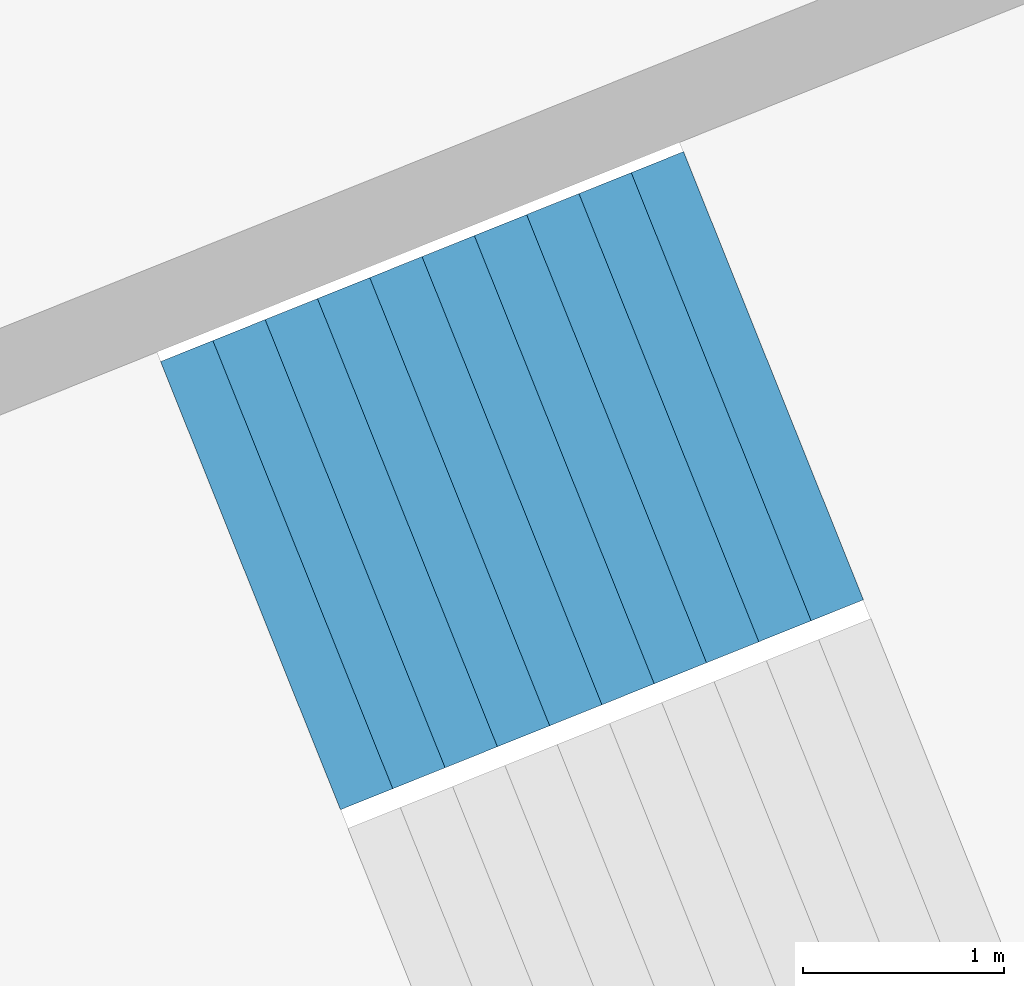
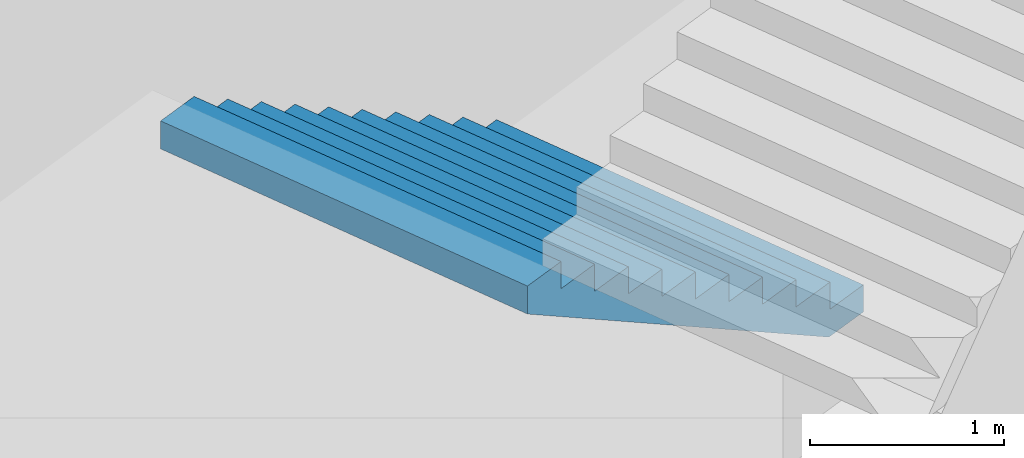
# One storey, part 21 of 73: 1 stair flight, 1 element without a shape of its own.
"""IFC4 building model written with IfcOpenShell, lengths in metres."""

from ifc_helpers import new_model, si_unit, direction, frame, origin, place, context, subcontext, project, spatial, triangles, material, type_object, element, aggregate, save


model = new_model("IFC4")

# Units and contexts
model_context = context("Model", 3, precision=1e-05, world=origin(), true_north=direction((0.0, 1.0)))
body_context = subcontext(model_context, "Body", "Model", "MODEL_VIEW")
ifc_project = project(units=[si_unit("LENGTHUNIT", "METRE"), si_unit("AREAUNIT", "SQUARE_METRE"), si_unit("VOLUMEUNIT", "CUBIC_METRE"), si_unit("PLANEANGLEUNIT", "RADIAN"), si_unit("MASSUNIT", "GRAM", prefix="KILO")], contexts=[model_context])

# Site, building, storey
site_placement = place(None, origin())
site = spatial("IfcSite", under=ifc_project, at=site_placement, CompositionType="ELEMENT")
building_placement = place(site_placement, origin())
building = spatial("IfcBuilding", under=site, at=building_placement, Name="Lantaw Convention Tower", CompositionType="ELEMENT")
storey_placement = place(building_placement, frame((0.0, 0.0, 14.5)))
storey = spatial("IfcBuildingStorey", under=building, at=storey_placement, Name="L02", CompositionType="ELEMENT", Elevation=14.5)

# Stair, stair flight
ifc_material = material(Name="Concrete C35/45", Category="concrete")
stair_type = type_object("IfcStairType", Name="Exit stair 2400 riser 170.45 in 4 flights", PredefinedType="HALF_TURN_STAIR", material=ifc_material)
stair_placement = place(storey_placement, origin())
stair = element("IfcStair", 1, at=stair_placement, inside=storey, type_object=stair_type, Name="Podium exit stair P11 L02", PredefinedType="HALF_TURN_STAIR")
stair_flight_type = type_object("IfcStairFlightType", Name="Stair flight 2400 riser 170.45", PredefinedType="STRAIGHT", material=ifc_material)
stair_flight_placement = place(storey_placement, frame((-30.017578125, -10.703369140625, 3.75), z_axis=(0.0, 0.0, 1.0), x_axis=(-0.928015168305, -0.372542410198, 0.0)))
stair_flight = element("IfcStairFlight", 2, at=stair_flight_placement, type_object=stair_flight_type, Name="P11 flight 3", NumberOfRisers=11, NumberOfTreads=10, PredefinedType="STRAIGHT", RiserHeight=0.170454545, TreadLength=0.28, context=body_context, shape_type="Tessellation", body=[
    triangles([(0.0, 1.199951171875, 0.0), (0.0, 1.199951171875, 0.170454545), (0.28, 1.199951171875, 0.0), (0.28, 1.199951171875, 0.170454545), (0.28, 1.199951171875, 0.34090909), (0.28827876332691904, 1.199951171875, 0.0), (0.28827876332691904, 1.199951171875, 0.34090909), (0.56, 1.199951171875, 0.16541471344266906), (0.56, 1.199951171875, 0.34090909), (0.56, 1.199951171875, 0.511363635), (0.8400000000000001, 1.199951171875, 0.335869258442669), (0.8400000000000001, 1.199951171875, 0.511363635), (0.8400000000000001, 1.199951171875, 0.68181818), (1.12, 1.199951171875, 0.506323803442669), (1.12, 1.199951171875, 0.68181818), (1.12, 1.199951171875, 0.8522727250000001), (1.4000000000000001, 1.199951171875, 0.676778348442669), (1.4000000000000001, 1.199951171875, 0.8522727250000001), (1.4000000000000001, 1.199951171875, 1.02272727), (1.6800000000000002, 1.199951171875, 0.847232893442669), (1.6800000000000002, 1.199951171875, 1.02272727), (1.6800000000000002, 1.199951171875, 1.193181815), (1.9600000000000002, 1.199951171875, 1.017687438442669), (1.9600000000000002, 1.199951171875, 1.193181815), (1.9600000000000002, 1.199951171875, 1.36363636), (2.24, 1.199951171875, 1.188141983442669), (2.24, 1.199951171875, 1.36363636), (2.24, 1.199951171875, 1.5340909050000002), (2.5200000000000005, 1.199951171875, 1.358596528442669), (2.5200000000000005, 1.199951171875, 1.5340909050000002), (2.5200000000000005, 1.199951171875, 1.7045454500000001), (2.8000000000000003, 1.199951171875, 1.529051073442669), (2.8000000000000003, 1.199951171875, 1.7045454500000001), (0.0, -1.199951171875, 0.0), (0.0, -1.199951171875, 0.170454545), (0.28, -1.199951171875, 0.0), (0.28, -1.199951171875, 0.170454545), (0.28, -1.199951171875, 0.34090909), (0.28827876332691904, -1.199951171875, 0.0), (0.28827876332691904, -1.199951171875, 0.34090909), (0.56, -1.199951171875, 0.16541471344266906), (0.56, -1.199951171875, 0.34090909), (0.56, -1.199951171875, 0.511363635), (0.8400000000000001, -1.199951171875, 0.335869258442669), (0.8400000000000001, -1.199951171875, 0.511363635), (0.8400000000000001, -1.199951171875, 0.68181818), (1.12, -1.199951171875, 0.506323803442669), (1.12, -1.199951171875, 0.68181818), (1.12, -1.199951171875, 0.8522727250000001), (1.4000000000000001, -1.199951171875, 0.676778348442669), (1.4000000000000001, -1.199951171875, 0.8522727250000001), (1.4000000000000001, -1.199951171875, 1.02272727), (1.6800000000000002, -1.199951171875, 0.847232893442669), (1.6800000000000002, -1.199951171875, 1.02272727), (1.6800000000000002, -1.199951171875, 1.193181815), (1.9600000000000002, -1.199951171875, 1.017687438442669), (1.9600000000000002, -1.199951171875, 1.193181815), (1.9600000000000002, -1.199951171875, 1.36363636), (2.24, -1.199951171875, 1.188141983442669), (2.24, -1.199951171875, 1.36363636), (2.24, -1.199951171875, 1.5340909050000002), (2.5200000000000005, -1.199951171875, 1.358596528442669), (2.5200000000000005, -1.199951171875, 1.5340909050000002), (2.5200000000000005, -1.199951171875, 1.7045454500000001), (2.8000000000000003, -1.199951171875, 1.529051073442669), (2.8000000000000003, -1.199951171875, 1.7045454500000001), (0.0, 0.239990234375, 0.170454545), (0.0, 0.239990234375, 0.0), (0.0, 0.1199951171875, 0.170454545), (0.0, 0.1199951171875, 0.0), (0.0, 0.0, 0.170454545), (0.0, 0.0, 0.0), (0.0, -0.1199951171875, 0.170454545), (0.0, -0.1199951171875, 0.0), (0.0, -0.239990234375, 0.170454545), (0.0, -0.239990234375, 0.0), (0.28, 0.239990234375, 0.34090909), (0.28, 0.239990234375, 0.170454545), (0.28, 0.1199951171875, 0.34090909), (0.28, 0.1199951171875, 0.170454545), (0.28, 0.0, 0.34090909), (0.28, 0.0, 0.170454545), (0.28, -0.1199951171875, 0.34090909), (0.28, -0.1199951171875, 0.170454545), (0.28, -0.239990234375, 0.34090909), (0.28, -0.239990234375, 0.170454545), (0.56, 0.239990234375, 0.511363635), (0.56, 0.239990234375, 0.34090909), (0.56, 0.1199951171875, 0.511363635), (0.56, 0.1199951171875, 0.34090909), (0.56, 0.0, 0.511363635), (0.56, 0.0, 0.34090909), (0.56, -0.1199951171875, 0.511363635), (0.56, -0.1199951171875, 0.34090909), (0.56, -0.239990234375, 0.511363635), (0.56, -0.239990234375, 0.34090909), (0.8400000000000001, 0.239990234375, 0.68181818), (0.8400000000000001, 0.239990234375, 0.511363635), (0.8400000000000001, 0.1199951171875, 0.68181818), (0.8400000000000001, 0.1199951171875, 0.511363635), (0.8400000000000001, 0.0, 0.68181818), (0.8400000000000001, 0.0, 0.511363635), (0.8400000000000001, -0.1199951171875, 0.68181818), (0.8400000000000001, -0.1199951171875, 0.511363635), (0.8400000000000001, -0.239990234375, 0.68181818), (0.8400000000000001, -0.239990234375, 0.511363635), (1.12, 0.239990234375, 0.8522727250000001), (1.12, 0.239990234375, 0.68181818), (1.12, 0.1199951171875, 0.8522727250000001), (1.12, 0.1199951171875, 0.68181818), (1.12, 0.0, 0.8522727250000001), (1.12, 0.0, 0.68181818), (1.12, -0.1199951171875, 0.8522727250000001), (1.12, -0.1199951171875, 0.68181818), (1.12, -0.239990234375, 0.8522727250000001), (1.12, -0.239990234375, 0.68181818), (1.4000000000000001, 0.239990234375, 1.02272727), (1.4000000000000001, 0.239990234375, 0.8522727250000001), (1.4000000000000001, 0.1199951171875, 1.02272727), (1.4000000000000001, 0.1199951171875, 0.8522727250000001), (1.4000000000000001, 0.0, 1.02272727), (1.4000000000000001, 0.0, 0.8522727250000001), (1.4000000000000001, -0.1199951171875, 1.02272727), (1.4000000000000001, -0.1199951171875, 0.8522727250000001), (1.4000000000000001, -0.239990234375, 1.02272727), (1.4000000000000001, -0.239990234375, 0.8522727250000001), (1.6800000000000002, 0.239990234375, 1.193181815), (1.6800000000000002, 0.239990234375, 1.02272727), (1.6800000000000002, 0.1199951171875, 1.193181815), (1.6800000000000002, 0.1199951171875, 1.02272727), (1.6800000000000002, 0.0, 1.193181815), (1.6800000000000002, 0.0, 1.02272727), (1.6800000000000002, -0.1199951171875, 1.193181815), (1.6800000000000002, -0.1199951171875, 1.02272727), (1.6800000000000002, -0.239990234375, 1.193181815), (1.6800000000000002, -0.239990234375, 1.02272727), (1.9600000000000002, 0.239990234375, 1.36363636), (1.9600000000000002, 0.239990234375, 1.193181815), (1.9600000000000002, 0.1199951171875, 1.36363636), (1.9600000000000002, 0.1199951171875, 1.193181815), (1.9600000000000002, 0.0, 1.36363636), (1.9600000000000002, 0.0, 1.193181815), (1.9600000000000002, -0.1199951171875, 1.36363636), (1.9600000000000002, -0.1199951171875, 1.193181815), (1.9600000000000002, -0.239990234375, 1.36363636), (1.9600000000000002, -0.239990234375, 1.193181815), (2.24, 0.239990234375, 1.5340909050000002), (2.24, 0.239990234375, 1.36363636), (2.24, 0.1199951171875, 1.5340909050000002), (2.24, 0.1199951171875, 1.36363636), (2.24, 0.0, 1.5340909050000002), (2.24, 0.0, 1.36363636), (2.24, -0.1199951171875, 1.5340909050000002), (2.24, -0.1199951171875, 1.36363636), (2.24, -0.239990234375, 1.5340909050000002), (2.24, -0.239990234375, 1.36363636), (2.5200000000000005, 0.239990234375, 1.7045454500000001), (2.5200000000000005, 0.239990234375, 1.5340909050000002), (2.5200000000000005, 0.1199951171875, 1.7045454500000001), (2.5200000000000005, 0.1199951171875, 1.5340909050000002), (2.5200000000000005, 0.0, 1.7045454500000001), (2.5200000000000005, 0.0, 1.5340909050000002), (2.5200000000000005, -0.1199951171875, 1.7045454500000001), (2.5200000000000005, -0.1199951171875, 1.5340909050000002), (2.5200000000000005, -0.239990234375, 1.7045454500000001), (2.5200000000000005, -0.239990234375, 1.5340909050000002), (0.28827876332691904, 0.239990234375, 0.34090909), (0.28827876332691904, 0.1199951171875, 0.34090909), (0.28827876332691904, 0.0, 0.34090909), (0.28827876332691904, -0.1199951171875, 0.34090909), (0.28827876332691904, -0.239990234375, 0.34090909), (2.8000000000000003, 0.239990234375, 1.7045454500000001), (2.8000000000000003, 0.1199951171875, 1.7045454500000001), (2.8000000000000003, 0.0, 1.7045454500000001), (2.8000000000000003, -0.1199951171875, 1.7045454500000001), (2.8000000000000003, -0.239990234375, 1.7045454500000001), (2.8000000000000003, 0.239990234375, 1.5290510734426692), (2.8000000000000003, 0.1199951171875, 1.5290510734426692), (2.8000000000000003, 0.0, 1.5290510734426692), (2.8000000000000003, -0.1199951171875, 1.5290510734426692), (2.8000000000000003, -0.239990234375, 1.5290510734426692), (2.5200000000000005, 0.239990234375, 1.358596528442669), (2.5200000000000005, 0.1199951171875, 1.358596528442669), (2.5200000000000005, 0.0, 1.358596528442669), (2.5200000000000005, -0.1199951171875, 1.358596528442669), (2.5200000000000005, -0.239990234375, 1.358596528442669), (2.24, 0.239990234375, 1.188141983442669), (2.24, 0.1199951171875, 1.188141983442669), (2.24, 0.0, 1.188141983442669), (2.24, -0.1199951171875, 1.188141983442669), (2.24, -0.239990234375, 1.188141983442669), (1.9600000000000002, 0.239990234375, 1.017687438442669), (1.9600000000000002, 0.1199951171875, 1.017687438442669), (1.9600000000000002, 0.0, 1.017687438442669), (1.9600000000000002, -0.1199951171875, 1.017687438442669), (1.9600000000000002, -0.239990234375, 1.017687438442669), (1.6800000000000002, 0.239990234375, 0.847232893442669), (1.6800000000000002, 0.1199951171875, 0.847232893442669), (1.6800000000000002, 0.0, 0.847232893442669), (1.6800000000000002, -0.1199951171875, 0.847232893442669), (1.6800000000000002, -0.239990234375, 0.847232893442669), (1.4000000000000001, 0.239990234375, 0.676778348442669), (1.4000000000000001, 0.1199951171875, 0.676778348442669), (1.4000000000000001, 0.0, 0.676778348442669), (1.4000000000000001, -0.1199951171875, 0.676778348442669), (1.4000000000000001, -0.239990234375, 0.676778348442669), (1.12, 0.239990234375, 0.506323803442669), (1.12, 0.1199951171875, 0.506323803442669), (1.12, 0.0, 0.506323803442669), (1.12, -0.1199951171875, 0.506323803442669), (1.12, -0.239990234375, 0.506323803442669), (0.8400000000000001, 0.239990234375, 0.335869258442669), (0.8400000000000001, 0.1199951171875, 0.335869258442669), (0.8400000000000001, 0.0, 0.335869258442669), (0.8400000000000001, -0.1199951171875, 0.335869258442669), (0.8400000000000001, -0.239990234375, 0.335869258442669), (0.56, 0.239990234375, 0.16541471344266906), (0.56, 0.1199951171875, 0.16541471344266906), (0.56, 0.0, 0.16541471344266906), (0.56, -0.1199951171875, 0.16541471344266906), (0.56, -0.239990234375, 0.16541471344266906), (0.28827876332691904, 0.239990234375, 0.0), (0.28827876332691904, 0.1199951171875, 0.0), (0.28827876332691904, 0.0, 0.0), (0.28827876332691904, -0.1199951171875, 0.0), (0.28827876332691904, -0.239990234375, 0.0), (0.28, 0.239990234375, 0.0), (0.28, 0.1199951171875, 0.0), (0.28, 0.0, 0.0), (0.28, -0.1199951171875, 0.0), (0.28, -0.239990234375, 0.0)], [[1, 4, 3], [1, 2, 4], [3, 4, 6], [4, 7, 6], [4, 5, 7], [6, 9, 8], [6, 7, 9], [8, 9, 11], [9, 12, 11], [9, 10, 12], [11, 12, 14], [12, 15, 14], [12, 13, 15], [14, 15, 17], [15, 18, 17], [15, 16, 18], [17, 18, 20], [18, 21, 20], [18, 19, 21], [20, 21, 23], [21, 24, 23], [21, 22, 24], [23, 24, 26], [24, 27, 26], [24, 25, 27], [26, 27, 29], [27, 30, 29], [27, 28, 30], [29, 30, 32], [30, 33, 32], [30, 31, 33], [34, 36, 37], [34, 37, 35], [36, 39, 37], [37, 39, 40], [37, 40, 38], [39, 41, 42], [39, 42, 40], [41, 44, 42], [42, 44, 45], [42, 45, 43], [44, 47, 45], [45, 47, 48], [45, 48, 46], [47, 50, 48], [48, 50, 51], [48, 51, 49], [50, 53, 51], [51, 53, 54], [51, 54, 52], [53, 56, 54], [54, 56, 57], [54, 57, 55], [56, 59, 57], [57, 59, 60], [57, 60, 58], [59, 62, 60], [60, 62, 63], [60, 63, 61], [62, 65, 63], [63, 65, 66], [63, 66, 64], [1, 67, 2], [1, 68, 67], [68, 69, 67], [68, 70, 69], [70, 71, 69], [70, 72, 71], [72, 73, 71], [72, 74, 73], [74, 75, 73], [74, 76, 75], [76, 35, 75], [76, 34, 35], [4, 77, 5], [4, 78, 77], [78, 79, 77], [78, 80, 79], [80, 81, 79], [80, 82, 81], [82, 83, 81], [82, 84, 83], [84, 85, 83], [84, 86, 85], [86, 38, 85], [86, 37, 38], [9, 87, 10], [9, 88, 87], [88, 89, 87], [88, 90, 89], [90, 91, 89], [90, 92, 91], [92, 93, 91], [92, 94, 93], [94, 95, 93], [94, 96, 95], [96, 43, 95], [96, 42, 43], [12, 97, 13], [12, 98, 97], [98, 99, 97], [98, 100, 99], [100, 101, 99], [100, 102, 101], [102, 103, 101], [102, 104, 103], [104, 105, 103], [104, 106, 105], [106, 46, 105], [106, 45, 46], [15, 107, 16], [15, 108, 107], [108, 109, 107], [108, 110, 109], [110, 111, 109], [110, 112, 111], [112, 113, 111], [112, 114, 113], [114, 115, 113], [114, 116, 115], [116, 49, 115], [116, 48, 49], [18, 117, 19], [18, 118, 117], [118, 119, 117], [118, 120, 119], [120, 121, 119], [120, 122, 121], [122, 123, 121], [122, 124, 123], [124, 125, 123], [124, 126, 125], [126, 52, 125], [126, 51, 52], [21, 127, 22], [21, 128, 127], [128, 129, 127], [128, 130, 129], [130, 131, 129], [130, 132, 131], [132, 133, 131], [132, 134, 133], [134, 135, 133], [134, 136, 135], [136, 55, 135], [136, 54, 55], [24, 137, 25], [24, 138, 137], [138, 139, 137], [138, 140, 139], [140, 141, 139], [140, 142, 141], [142, 143, 141], [142, 144, 143], [144, 145, 143], [144, 146, 145], [146, 58, 145], [146, 57, 58], [27, 147, 28], [27, 148, 147], [148, 149, 147], [148, 150, 149], [150, 151, 149], [150, 152, 151], [152, 153, 151], [152, 154, 153], [154, 155, 153], [154, 156, 155], [156, 61, 155], [156, 60, 61], [30, 157, 31], [30, 158, 157], [158, 159, 157], [158, 160, 159], [160, 161, 159], [160, 162, 161], [162, 163, 161], [162, 164, 163], [164, 165, 163], [164, 166, 165], [166, 64, 165], [166, 63, 64], [2, 78, 4], [2, 67, 78], [67, 80, 78], [67, 69, 80], [69, 82, 80], [69, 71, 82], [71, 84, 82], [71, 73, 84], [73, 86, 84], [73, 75, 86], [75, 37, 86], [75, 35, 37], [5, 167, 7], [5, 77, 167], [77, 168, 167], [77, 79, 168], [79, 169, 168], [79, 81, 169], [81, 170, 169], [81, 83, 170], [83, 171, 170], [83, 85, 171], [85, 40, 171], [85, 38, 40], [7, 88, 9], [7, 167, 88], [167, 90, 88], [167, 168, 90], [168, 92, 90], [168, 169, 92], [169, 94, 92], [169, 170, 94], [170, 96, 94], [170, 171, 96], [171, 42, 96], [171, 40, 42], [10, 98, 12], [10, 87, 98], [87, 100, 98], [87, 89, 100], [89, 102, 100], [89, 91, 102], [91, 104, 102], [91, 93, 104], [93, 106, 104], [93, 95, 106], [95, 45, 106], [95, 43, 45], [13, 108, 15], [13, 97, 108], [97, 110, 108], [97, 99, 110], [99, 112, 110], [99, 101, 112], [101, 114, 112], [101, 103, 114], [103, 116, 114], [103, 105, 116], [105, 48, 116], [105, 46, 48], [16, 118, 18], [16, 107, 118], [107, 120, 118], [107, 109, 120], [109, 122, 120], [109, 111, 122], [111, 124, 122], [111, 113, 124], [113, 126, 124], [113, 115, 126], [115, 51, 126], [115, 49, 51], [19, 128, 21], [19, 117, 128], [117, 130, 128], [117, 119, 130], [119, 132, 130], [119, 121, 132], [121, 134, 132], [121, 123, 134], [123, 136, 134], [123, 125, 136], [125, 54, 136], [125, 52, 54], [22, 138, 24], [22, 127, 138], [127, 140, 138], [127, 129, 140], [129, 142, 140], [129, 131, 142], [131, 144, 142], [131, 133, 144], [133, 146, 144], [133, 135, 146], [135, 57, 146], [135, 55, 57], [25, 148, 27], [25, 137, 148], [137, 150, 148], [137, 139, 150], [139, 152, 150], [139, 141, 152], [141, 154, 152], [141, 143, 154], [143, 156, 154], [143, 145, 156], [145, 60, 156], [145, 58, 60], [28, 158, 30], [28, 147, 158], [147, 160, 158], [147, 149, 160], [149, 162, 160], [149, 151, 162], [151, 164, 162], [151, 153, 164], [153, 166, 164], [153, 155, 166], [155, 63, 166], [155, 61, 63], [31, 172, 33], [31, 157, 172], [157, 173, 172], [157, 159, 173], [159, 174, 173], [159, 161, 174], [161, 175, 174], [161, 163, 175], [163, 176, 175], [163, 165, 176], [165, 66, 176], [165, 64, 66], [33, 177, 32], [33, 172, 177], [172, 178, 177], [172, 173, 178], [173, 179, 178], [173, 174, 179], [174, 180, 179], [174, 175, 180], [175, 181, 180], [175, 176, 181], [176, 65, 181], [176, 66, 65], [32, 182, 29], [32, 177, 182], [177, 183, 182], [177, 178, 183], [178, 184, 183], [178, 179, 184], [179, 185, 184], [179, 180, 185], [180, 186, 185], [180, 181, 186], [181, 62, 186], [181, 65, 62], [29, 187, 26], [29, 182, 187], [182, 188, 187], [182, 183, 188], [183, 189, 188], [183, 184, 189], [184, 190, 189], [184, 185, 190], [185, 191, 190], [185, 186, 191], [186, 59, 191], [186, 62, 59], [26, 192, 23], [26, 187, 192], [187, 193, 192], [187, 188, 193], [188, 194, 193], [188, 189, 194], [189, 195, 194], [189, 190, 195], [190, 196, 195], [190, 191, 196], [191, 56, 196], [191, 59, 56], [23, 197, 20], [23, 192, 197], [192, 198, 197], [192, 193, 198], [193, 199, 198], [193, 194, 199], [194, 200, 199], [194, 195, 200], [195, 201, 200], [195, 196, 201], [196, 53, 201], [196, 56, 53], [20, 202, 17], [20, 197, 202], [197, 203, 202], [197, 198, 203], [198, 204, 203], [198, 199, 204], [199, 205, 204], [199, 200, 205], [200, 206, 205], [200, 201, 206], [201, 50, 206], [201, 53, 50], [17, 207, 14], [17, 202, 207], [202, 208, 207], [202, 203, 208], [203, 209, 208], [203, 204, 209], [204, 210, 209], [204, 205, 210], [205, 211, 210], [205, 206, 211], [206, 47, 211], [206, 50, 47], [14, 212, 11], [14, 207, 212], [207, 213, 212], [207, 208, 213], [208, 214, 213], [208, 209, 214], [209, 215, 214], [209, 210, 215], [210, 216, 215], [210, 211, 216], [211, 44, 216], [211, 47, 44], [11, 217, 8], [11, 212, 217], [212, 218, 217], [212, 213, 218], [213, 219, 218], [213, 214, 219], [214, 220, 219], [214, 215, 220], [215, 221, 220], [215, 216, 221], [216, 41, 221], [216, 44, 41], [8, 222, 6], [8, 217, 222], [217, 223, 222], [217, 218, 223], [218, 224, 223], [218, 219, 224], [219, 225, 224], [219, 220, 225], [220, 226, 225], [220, 221, 226], [221, 39, 226], [221, 41, 39], [6, 227, 3], [6, 222, 227], [222, 228, 227], [222, 223, 228], [223, 229, 228], [223, 224, 229], [224, 230, 229], [224, 225, 230], [225, 231, 230], [225, 226, 231], [226, 36, 231], [226, 39, 36], [3, 68, 1], [3, 227, 68], [227, 70, 68], [227, 228, 70], [228, 72, 70], [228, 229, 72], [229, 74, 72], [229, 230, 74], [230, 76, 74], [230, 231, 76], [231, 34, 76], [231, 36, 34]], closed=True),
])
aggregate(stair, [stair_flight])

save(model, "model.ifc")
